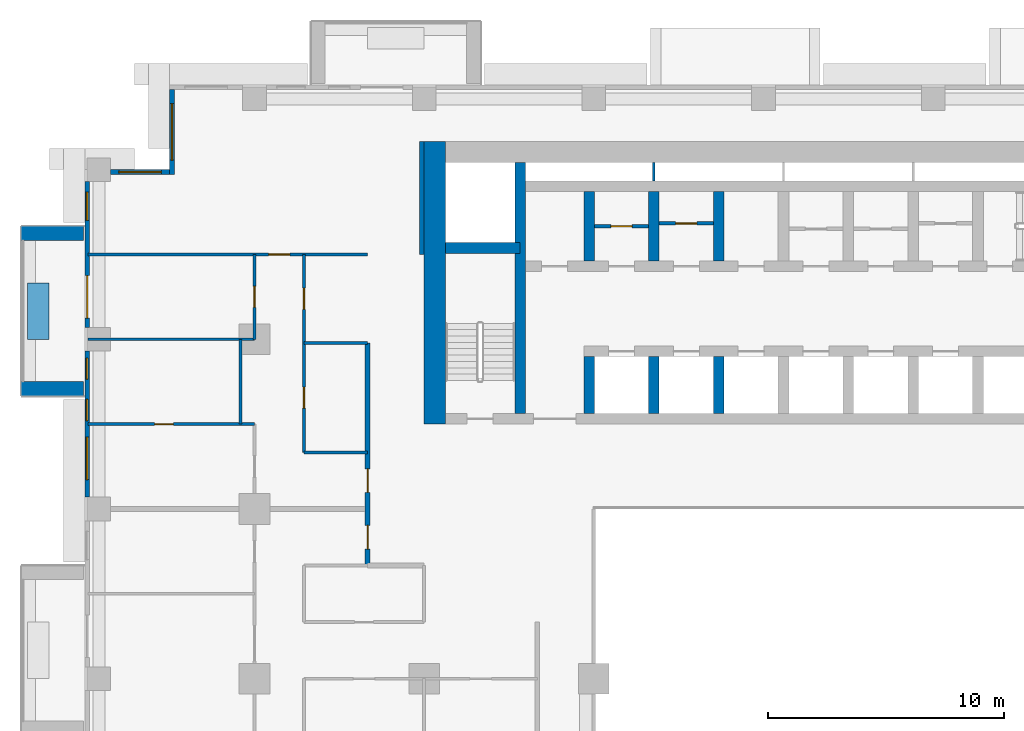
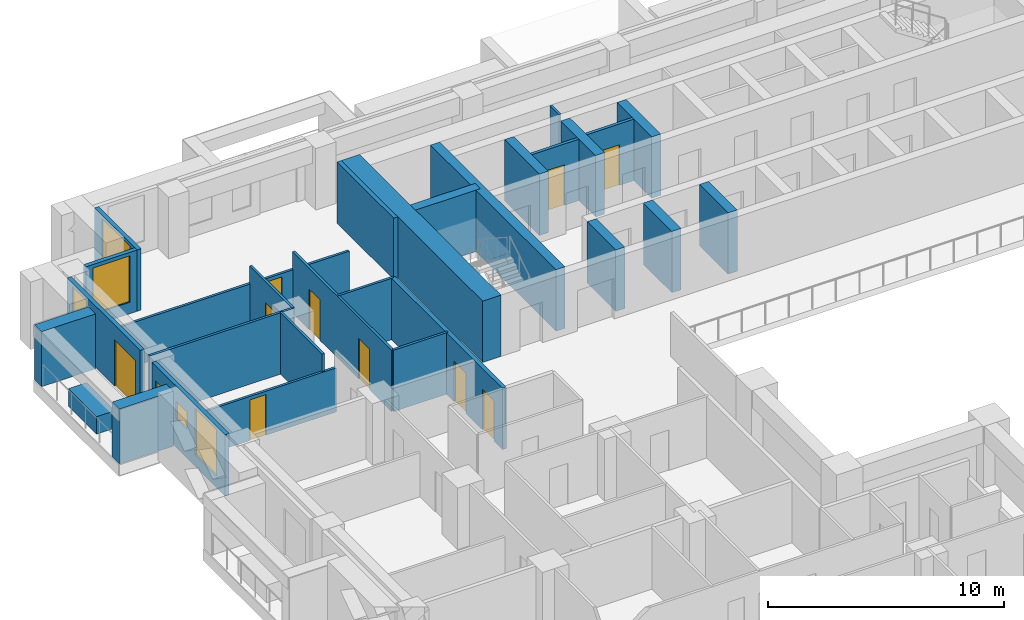
# One storey, part 9 of 17: 29 walls, 10 doors, 6 windows, 16 openings.
"""IFC4 building model written with IfcOpenShell, lengths in metres."""

from ifc_helpers import new_model, si_unit, direction, frame, frame_2d, origin, place, context, subcontext, project, spatial, rectangle, extrude, material, layer, layer_set, type_object, element, fill, save


model = new_model("IFC4")

# Units and contexts
model_context = context("Model", 3, precision=1e-05, world=origin(), true_north=direction((0.0, 1.0)))
body_context = subcontext(model_context, "Body", "Model", "MODEL_VIEW")
ifc_project = project(units=[si_unit("LENGTHUNIT", "METRE"), si_unit("AREAUNIT", "SQUARE_METRE"), si_unit("VOLUMEUNIT", "CUBIC_METRE"), si_unit("PLANEANGLEUNIT", "RADIAN"), si_unit("MASSUNIT", "GRAM", prefix="KILO")], contexts=[model_context])

# Site, building, storey
site_placement = place(None, origin())
site = spatial("IfcSite", under=ifc_project, at=site_placement, CompositionType="ELEMENT")
building_placement = place(site_placement, origin())
building = spatial("IfcBuilding", under=site, at=building_placement, Name="Saffron Iwan Residences", CompositionType="ELEMENT")
storey_placement = place(building_placement, frame((0.0, 0.0, 86.5)))
storey = spatial("IfcBuildingStorey", under=building, at=storey_placement, Name="L22", CompositionType="ELEMENT", Elevation=86.5)

# Walls
ifc_material_1 = material(Name="Concrete C50/60 white painted", Category="concrete")
ifc_layer_1 = layer(ifc_material_1, 0.60009765625)
ifc_layer_set_1 = layer_set([ifc_layer_1], Name="Concrete C50/60 white painted")
wall_type_1 = type_object("IfcWallType", Name="BALCONY FIN 600", PredefinedType="SOLIDWALL", material=ifc_layer_set_1)
for number, where, z_axis, x_axis, name in (
    (1, (14.35009765625, 74.10009765625, 0.0), (0.0, 0.0, 1.0), (-1.0, 0.0, 0.0), "Balcony fin L22 F8-0a"),
    (2, (14.35009765625, 67.5, 0.0), (0.0, 0.0, 1.0), (-1.0, 0.0, 0.0), "Balcony fin L22 F8-0b"),
):
    element("IfcWall", number, at=place(storey_placement, frame(where, z_axis=z_axis, x_axis=x_axis)), inside=storey, type_object=wall_type_1, Name=name, PredefinedType="SOLIDWALL", context=body_context, shape_type="SweptSolid", body=[
        extrude(rectangle(XDim=2.650146484375, YDim=0.60009765625, at=frame_2d((1.3251953125, 0.0))), origin(), (0.0, 0.0, 1.0), 2.85009765625),
    ])
ifc_material_2 = material(Name="Concrete C35/45 white painted", Category="concrete")
ifc_layer_2 = layer(ifc_material_2, 0.14990234375)
ifc_layer_set_2 = layer_set([ifc_layer_2], Name="Concrete C35/45 white painted")
wall_type_2 = type_object("IfcWallType", Name="BALCONY PLANTER", PredefinedType="SOLIDWALL", material=ifc_layer_set_2)
wall_1_placement = place(storey_placement, frame((12.425048828125, 72.0, 0.0), z_axis=(0.0, 0.0, 1.0), x_axis=(0.0, -1.0, 0.0)))
element("IfcWall", 3, at=wall_1_placement, inside=storey, type_object=wall_type_2, Name="PLANTER L22 F8-0", PredefinedType="SOLIDWALL", context=body_context, shape_type="SweptSolid", body=[
    extrude(rectangle(XDim=2.39990234375, YDim=0.89990234375, at=frame_2d((1.199951171875, 0.0))), origin(), (0.0, 0.0, 1.0), 0.89990234375),
])

# Wall, opening, door
ifc_material_3 = material(Name="Fire-rated plasterboard partition")
ifc_layer_3 = layer(ifc_material_3, 0.14990234375)
ifc_layer_set_3 = layer_set([ifc_layer_3], Name="Fire-rated plasterboard partition")
wall_type_3 = type_object("IfcWallType", Name="Core partition 150", PredefinedType="PARTITIONING", material=ifc_layer_set_3)
wall_2_placement = place(storey_placement, frame((36.02490234375, 74.39990234375, 0.0), z_axis=(0.0, 0.0, 1.0), x_axis=(1.0, 0.0, 0.0)))
wall_2 = element("IfcWall", 4, at=wall_2_placement, inside=storey, type_object=wall_type_3, Name="Core partition P01", PredefinedType="PARTITIONING", context=body_context, shape_type="SweptSolid", body=[
    extrude(rectangle(XDim=2.300048828125, YDim=0.14990234375, at=frame_2d((1.14990234375, 0.0))), origin(), (0.0, 0.0, 1.0), 3.179931640625),
])
opening_1_placement = place(wall_2_placement, frame((0.699951171875, 0.0, 0.0)))
opening_1 = element("IfcOpeningElement", 5, at=opening_1_placement, cuts=wall_2, Name="Opening SB", PredefinedType="OPENING", context=body_context, shape_type="SweptSolid", body=[
    extrude(rectangle(XDim=0.89990234375, YDim=2.10009765625, at=frame_2d((0.449951171875, 1.050048828125))), frame((0.0, 0.0849609375, 0.0), z_axis=(0.0, -1.0, 0.0), x_axis=(1.0, 0.0, 0.0)), (0.0, 0.0, 1.0), 0.169921875),
])
ifc_material_4 = material(Name="Steel fire door", Category="steel")
door_type_1 = type_object("IfcDoorType", Name="Store door 900", OperationType="NOTDEFINED", PredefinedType="DOOR", material=ifc_material_4)
door_1_placement = place(opening_1_placement, origin())
door_1 = element("IfcDoor", 6, at=door_1_placement, inside=storey, type_object=door_type_1, Name="Door Mop store", OperationType="SINGLE_SWING_LEFT", OverallHeight=2.10009765625, OverallWidth=0.89990234375, PredefinedType="DOOR", context=body_context, shape_type="SweptSolid", body=[
    extrude(rectangle(XDim=0.89990234375, YDim=2.10009765625, at=frame_2d((0.449951171875, 1.050048828125))), frame((0.0, 0.02490234375, 0.0), z_axis=(0.0, -1.0, 0.0), x_axis=(1.0, 0.0, 0.0)), (0.0, 0.0, 1.0), 0.050048828125),
])
fill(opening_1, door_1)

wall_3_placement = place(storey_placement, frame((38.77490234375, 74.51806640625, 0.0), z_axis=(0.0, 0.0, 1.0), x_axis=(1.0, 0.0, 0.0)))
wall_3 = element("IfcWall", 7, at=wall_3_placement, inside=storey, type_object=wall_type_3, Name="Core partition P02", PredefinedType="PARTITIONING", context=body_context, shape_type="SweptSolid", body=[
    extrude(rectangle(XDim=2.300048828125, YDim=0.14990234375, at=frame_2d((1.14990234375, 0.0))), origin(), (0.0, 0.0, 1.0), 3.179931640625),
])
opening_2_placement = place(wall_3_placement, frame((0.699951171875, 0.0, 0.0)))
opening_2 = element("IfcOpeningElement", 8, at=opening_2_placement, cuts=wall_3, Name="Opening SB", PredefinedType="OPENING", context=body_context, shape_type="SweptSolid", body=[
    extrude(rectangle(XDim=0.89990234375, YDim=2.10009765625, at=frame_2d((0.449951171875, 1.050048828125))), frame((0.0, 0.0849609375, 0.0), z_axis=(0.0, -1.0, 0.0), x_axis=(1.0, 0.0, 0.0)), (0.0, 0.0, 1.0), 0.169921875),
])
door_2_placement = place(opening_2_placement, origin())
door_2 = element("IfcDoor", 9, at=door_2_placement, inside=storey, type_object=door_type_1, Name="Door Spares store", OperationType="SINGLE_SWING_LEFT", OverallHeight=2.10009765625, OverallWidth=0.89990234375, PredefinedType="DOOR", context=body_context, shape_type="SweptSolid", body=[
    extrude(rectangle(XDim=0.89990234375, YDim=2.10009765625, at=frame_2d((0.449951171875, 1.050048828125))), frame((0.0, 0.02490234375, 0.0), z_axis=(0.0, -1.0, 0.0), x_axis=(1.0, 0.0, 0.0)), (0.0, 0.0, 1.0), 0.050048828125),
])
fill(opening_2, door_2)

# Wall, opening, window
ifc_material_5 = material(Name="Concrete C40/50", Category="concrete")
ifc_layer_4 = layer(ifc_material_5, 0.199951171875)
ifc_layer_set_4 = layer_set([ifc_layer_4], Name="Concrete C40/50")
wall_type_4 = type_object("IfcWallType", Name="EXTERNAL WALL 200", PredefinedType="SOLIDWALL", material=ifc_layer_set_4)
wall_4_placement = place(storey_placement, frame((18.10009765625, 80.199951171875, 0.0), z_axis=(0.0, 0.0, 1.0), x_axis=(0.0, -1.0, 0.0)))
wall_4 = element("IfcWall", 10, at=wall_4_placement, inside=storey, type_object=wall_type_4, Name="External wall L22 F6.0", PredefinedType="SOLIDWALL", context=body_context, shape_type="SweptSolid", body=[
    extrude(rectangle(XDim=3.599853515625, YDim=0.199951171875, at=frame_2d((1.7998046875, 0.0))), origin(), (0.0, 0.0, 1.0), 3.179931640625),
])
opening_3_placement = place(wall_4_placement, frame((0.60009765625, 0.0, 0.60009765625)))
opening_3 = element("IfcOpeningElement", 11, at=opening_3_placement, cuts=wall_4, Name="Opening W1", PredefinedType="OPENING", context=body_context, shape_type="SweptSolid", body=[
    extrude(rectangle(XDim=2.39990234375, YDim=2.39990234375, at=frame_2d((1.199951171875, 1.199951171875))), frame((0.0, 0.10986328125, 0.0), z_axis=(0.0, -1.0, 0.0), x_axis=(1.0, 0.0, 0.0)), (0.0, 0.0, 1.0), 0.219970703125),
])
ifc_material_6 = material(Name="Clear glass, laminated double glazed", Category="glass")
window_type_1 = type_object("IfcWindowType", Name="WINDOW 2400 x 2400", PartitioningType="DOUBLE_PANEL_VERTICAL", PredefinedType="WINDOW", material=ifc_material_6)
window_1_placement = place(opening_3_placement, origin())
window_1 = element("IfcWindow", 12, at=window_1_placement, inside=storey, type_object=window_type_1, Name="Window L22 F6.0", OverallHeight=2.39990234375, OverallWidth=2.39990234375, PartitioningType="DOUBLE_PANEL_VERTICAL", PredefinedType="WINDOW", context=body_context, shape_type="SweptSolid", body=[
    extrude(rectangle(XDim=2.39990234375, YDim=2.39990234375, at=frame_2d((1.199951171875, 1.199951171875))), frame((0.0, 0.030029296875, 0.0), z_axis=(0.0, -1.0, 0.0), x_axis=(1.0, 0.0, 0.0)), (0.0, 0.0, 1.0), 0.06005859375),
])
fill(opening_3, window_1)

wall_5_placement = place(storey_placement, frame((18.0, 76.699951171875, 0.0), z_axis=(0.0, 0.0, 1.0), x_axis=(-1.0, 0.0, 0.0)))
wall_5 = element("IfcWall", 13, at=wall_5_placement, inside=storey, type_object=wall_type_4, Name="External wall L22 F7.0", PredefinedType="SOLIDWALL", context=body_context, shape_type="SweptSolid", body=[
    extrude(rectangle(XDim=2.5, YDim=0.199951171875, at=frame_2d((1.25, 0.0))), origin(), (0.0, 0.0, 1.0), 3.179931640625),
])
opening_4_placement = place(wall_5_placement, frame((0.35009765625, 0.0, 0.60009765625)))
opening_4 = element("IfcOpeningElement", 14, at=opening_4_placement, cuts=wall_5, Name="Opening W8", PredefinedType="OPENING", context=body_context, shape_type="SweptSolid", body=[
    extrude(rectangle(XDim=1.800048828125, YDim=2.39990234375, at=frame_2d((0.89990234375, 1.199951171875))), frame((0.0, 0.10986328125, 0.0), z_axis=(0.0, -1.0, 0.0), x_axis=(1.0, 0.0, 0.0)), (0.0, 0.0, 1.0), 0.219970703125),
])
window_type_2 = type_object("IfcWindowType", Name="WINDOW 1800 x 2400", PartitioningType="DOUBLE_PANEL_VERTICAL", PredefinedType="WINDOW", material=ifc_material_6)
window_2_placement = place(opening_4_placement, origin())
window_2 = element("IfcWindow", 15, at=window_2_placement, inside=storey, type_object=window_type_2, Name="Window L22 F7.0", OverallHeight=2.39990234375, OverallWidth=1.800048828125, PartitioningType="DOUBLE_PANEL_VERTICAL", PredefinedType="WINDOW", context=body_context, shape_type="SweptSolid", body=[
    extrude(rectangle(XDim=1.800048828125, YDim=2.39990234375, at=frame_2d((0.89990234375, 1.199951171875))), frame((0.0, 0.030029296875, 0.0), z_axis=(0.0, -1.0, 0.0), x_axis=(1.0, 0.0, 0.0)), (0.0, 0.0, 1.0), 0.06005859375),
])
fill(opening_4, window_2)

# Wall, openings, door, window
wall_6_placement = place(storey_placement, frame((14.5, 76.300048828125, 0.0), z_axis=(0.0, 0.0, 1.0), x_axis=(0.0, -1.0, 0.0)))
wall_6 = element("IfcWall", 16, at=wall_6_placement, inside=storey, type_object=wall_type_4, Name="External wall L22 F8.0", PredefinedType="SOLIDWALL", context=body_context, shape_type="SweptSolid", body=[
    extrude(rectangle(XDim=6.199951171875, YDim=0.199951171875, at=frame_2d((3.10009765625, 0.0))), origin(), (0.0, 0.0, 1.0), 3.179931640625),
])
opening_5_placement = place(wall_6_placement, frame((4.0, 0.0, 0.0)))
opening_5 = element("IfcOpeningElement", 17, at=opening_5_placement, cuts=wall_6, Name="Opening BD1", PredefinedType="OPENING", context=body_context, shape_type="SweptSolid", body=[
    extrude(rectangle(XDim=1.800048828125, YDim=2.39990234375, at=frame_2d((0.89990234375, 1.199951171875))), frame((0.0, 0.10986328125, 0.0), z_axis=(0.0, -1.0, 0.0), x_axis=(1.0, 0.0, 0.0)), (0.0, 0.0, 1.0), 0.219970703125),
])
opening_6_placement = place(wall_6_placement, frame((0.449951171875, 0.0, 0.60009765625)))
opening_6 = element("IfcOpeningElement", 18, at=opening_6_placement, cuts=wall_6, Name="Opening W3", PredefinedType="OPENING", context=body_context, shape_type="SweptSolid", body=[
    extrude(rectangle(XDim=1.199951171875, YDim=2.39990234375, at=frame_2d((0.60009765625, 1.199951171875))), frame((0.0, 0.10986328125, 0.0), z_axis=(0.0, -1.0, 0.0), x_axis=(1.0, 0.0, 0.0)), (0.0, 0.0, 1.0), 0.219970703125),
])
door_type_2 = type_object("IfcDoorType", Name="BALCONY DOOR 1800 x 2400", OperationType="DOUBLE_DOOR_SLIDING", PredefinedType="DOOR", material=ifc_material_6)
door_3_placement = place(opening_5_placement, origin())
door_3 = element("IfcDoor", 19, at=door_3_placement, inside=storey, type_object=door_type_2, Name="Balcony door L22 F8.0", OperationType="DOUBLE_DOOR_SLIDING", OverallHeight=2.39990234375, OverallWidth=1.800048828125, PredefinedType="DOOR", context=body_context, shape_type="SweptSolid", body=[
    extrude(rectangle(XDim=1.800048828125, YDim=2.39990234375, at=frame_2d((0.89990234375, 1.199951171875))), frame((0.0, 0.02490234375, 0.0), z_axis=(0.0, -1.0, 0.0), x_axis=(1.0, 0.0, 0.0)), (0.0, 0.0, 1.0), 0.050048828125),
])
fill(opening_5, door_3)
window_type_3 = type_object("IfcWindowType", Name="WINDOW 1200 x 2400", PartitioningType="SINGLE_PANEL", PredefinedType="WINDOW", material=ifc_material_6)
window_3_placement = place(opening_6_placement, origin())
window_3 = element("IfcWindow", 20, at=window_3_placement, inside=storey, type_object=window_type_3, Name="Window L22 F8.1", OverallHeight=2.39990234375, OverallWidth=1.199951171875, PartitioningType="SINGLE_PANEL", PredefinedType="WINDOW", context=body_context, shape_type="SweptSolid", body=[
    extrude(rectangle(XDim=1.199951171875, YDim=2.39990234375, at=frame_2d((0.60009765625, 1.199951171875))), frame((0.0, 0.030029296875, 0.0), z_axis=(0.0, -1.0, 0.0), x_axis=(1.0, 0.0, 0.0)), (0.0, 0.0, 1.0), 0.06005859375),
])
fill(opening_6, window_3)

# Wall, openings, windows
wall_7_placement = place(storey_placement, frame((14.5, 69.10009765625, 0.0), z_axis=(0.0, 0.0, 1.0), x_axis=(0.0, -1.0, 0.0)))
wall_7 = element("IfcWall", 21, at=wall_7_placement, inside=storey, type_object=wall_type_4, Name="External wall L22 F8.1", PredefinedType="SOLIDWALL", context=body_context, shape_type="SweptSolid", body=[
    extrude(rectangle(XDim=6.2001953125, YDim=0.199951171875, at=frame_2d((3.10009765625, 0.0))), origin(), (0.0, 0.0, 1.0), 3.179931640625),
])
opening_7_placement = place(wall_7_placement, frame((3.64990234375, 0.0, 0.60009765625)))
opening_7 = element("IfcOpeningElement", 22, at=opening_7_placement, cuts=wall_7, Name="Opening W8", PredefinedType="OPENING", context=body_context, shape_type="SweptSolid", body=[
    extrude(rectangle(XDim=1.800048828125, YDim=2.39990234375, at=frame_2d((0.89990234375, 1.199951171875))), frame((0.0, 0.10986328125, 0.0), z_axis=(0.0, -1.0, 0.0), x_axis=(1.0, 0.0, 0.0)), (0.0, 0.0, 1.0), 0.219970703125),
])
opening_8_placement = place(wall_7_placement, frame((0.300048828125, 0.0, 1.5)))
opening_8 = element("IfcOpeningElement", 23, at=opening_8_placement, cuts=wall_7, Name="Opening W6", PredefinedType="OPENING", context=body_context, shape_type="SweptSolid", body=[
    extrude(rectangle(XDim=0.89990234375, YDim=0.89990234375, at=frame_2d((0.449951171875, 0.449951171875))), frame((0.0, 0.10986328125, 0.0), z_axis=(0.0, -1.0, 0.0), x_axis=(1.0, 0.0, 0.0)), (0.0, 0.0, 1.0), 0.219970703125),
])
opening_9_placement = place(wall_7_placement, frame((2.050048828125, 0.0, 1.5)))
opening_9 = element("IfcOpeningElement", 24, at=opening_9_placement, cuts=wall_7, Name="Opening W6", PredefinedType="OPENING", context=body_context, shape_type="SweptSolid", body=[
    extrude(rectangle(XDim=0.89990234375, YDim=0.89990234375, at=frame_2d((0.449951171875, 0.449951171875))), frame((0.0, 0.10986328125, 0.0), z_axis=(0.0, -1.0, 0.0), x_axis=(1.0, 0.0, 0.0)), (0.0, 0.0, 1.0), 0.219970703125),
])
window_4_placement = place(opening_7_placement, origin())
window_4 = element("IfcWindow", 25, at=window_4_placement, inside=storey, type_object=window_type_2, Name="Window L22 F8.0", OverallHeight=2.39990234375, OverallWidth=1.800048828125, PartitioningType="DOUBLE_PANEL_VERTICAL", PredefinedType="WINDOW", context=body_context, shape_type="SweptSolid", body=[
    extrude(rectangle(XDim=1.800048828125, YDim=2.39990234375, at=frame_2d((0.89990234375, 1.199951171875))), frame((0.0, 0.030029296875, 0.0), z_axis=(0.0, -1.0, 0.0), x_axis=(1.0, 0.0, 0.0)), (0.0, 0.0, 1.0), 0.06005859375),
])
fill(opening_7, window_4)
window_type_4 = type_object("IfcWindowType", Name="WINDOW 900 x 900 BATH", PartitioningType="SINGLE_PANEL", PredefinedType="WINDOW", material=ifc_material_6)
window_5_placement = place(opening_8_placement, origin())
window_5 = element("IfcWindow", 26, at=window_5_placement, inside=storey, type_object=window_type_4, Name="Window L22 F8.1", OverallHeight=0.89990234375, OverallWidth=0.89990234375, PartitioningType="SINGLE_PANEL", PredefinedType="WINDOW", context=body_context, shape_type="SweptSolid", body=[
    extrude(rectangle(XDim=0.89990234375, YDim=0.89990234375, at=frame_2d((0.449951171875, 0.449951171875))), frame((0.0, 0.030029296875, 0.0), z_axis=(0.0, -1.0, 0.0), x_axis=(1.0, 0.0, 0.0)), (0.0, 0.0, 1.0), 0.06005859375),
])
fill(opening_8, window_5)
window_6_placement = place(opening_9_placement, origin())
window_6 = element("IfcWindow", 27, at=window_6_placement, inside=storey, type_object=window_type_4, Name="Window L22 F8.2", OverallHeight=0.89990234375, OverallWidth=0.89990234375, PartitioningType="SINGLE_PANEL", PredefinedType="WINDOW", context=body_context, shape_type="SweptSolid", body=[
    extrude(rectangle(XDim=0.89990234375, YDim=0.89990234375, at=frame_2d((0.449951171875, 0.449951171875))), frame((0.0, 0.030029296875, 0.0), z_axis=(0.0, -1.0, 0.0), x_axis=(1.0, 0.0, 0.0)), (0.0, 0.0, 1.0), 0.06005859375),
])
fill(opening_9, window_6)

# Wall
ifc_material_7 = material(Name="Gypsum board partition")
ifc_layer_5 = layer(ifc_material_7, 0.1201171875)
ifc_layer_set_5 = layer_set([ifc_layer_5], Name="Gypsum board partition")
wall_type_5 = type_object("IfcWallType", Name="Flat partition 120", PredefinedType="PARTITIONING", material=ifc_layer_set_5)
wall_8_placement = place(storey_placement, frame((23.699951171875, 64.800048828125, 0.0), z_axis=(0.0, 0.0, 1.0), x_axis=(1.0, 0.0, 0.0)))
element("IfcWall", 28, at=wall_8_placement, inside=storey, type_object=wall_type_5, Name="W-L22-PART-h64.8-23.7", PredefinedType="PARTITIONING", context=body_context, shape_type="SweptSolid", body=[
    extrude(rectangle(XDim=2.699951171875, YDim=0.1201171875, at=frame_2d((1.35009765625, 0.0))), origin(), (0.0, 0.0, 1.0), 3.179931640625),
])

# Wall, opening, door
wall_9_placement = place(storey_placement, frame((14.52490234375, 66.0, 0.0), z_axis=(0.0, 0.0, 1.0), x_axis=(1.0, 0.0, 0.0)))
wall_9 = element("IfcWall", 29, at=wall_9_placement, inside=storey, type_object=wall_type_5, Name="W-L22-PART-h66-14.525", PredefinedType="PARTITIONING", context=body_context, shape_type="SweptSolid", body=[
    extrude(rectangle(XDim=7.0751953125, YDim=0.1201171875, at=frame_2d((3.53759765625, 0.0))), origin(), (0.0, 0.0, 1.0), 2.280029296875),
])
opening_10_placement = place(wall_9_placement, frame((2.83740234375, 0.0, 0.0)))
opening_10 = element("IfcOpeningElement", 30, at=opening_10_placement, cuts=wall_9, Name="Opening FD3", PredefinedType="OPENING", context=body_context, shape_type="SweptSolid", body=[
    extrude(rectangle(XDim=0.800048828125, YDim=2.10009765625, at=frame_2d((0.39990234375, 1.050048828125))), frame((0.0, 0.070068359375, 0.0), z_axis=(0.0, -1.0, 0.0), x_axis=(1.0, 0.0, 0.0)), (0.0, 0.0, 1.0), 0.14013671875),
])
ifc_material_8 = material(Name="Timber door", Category="wood")
door_type_3 = type_object("IfcDoorType", Name="Bathroom door 800", OperationType="NOTDEFINED", PredefinedType="DOOR", material=ifc_material_8)
door_4_placement = place(opening_10_placement, origin())
door_4 = element("IfcDoor", 31, at=door_4_placement, inside=storey, type_object=door_type_3, Name="Door L22-029", OperationType="SINGLE_SWING_LEFT", OverallHeight=2.10009765625, OverallWidth=0.800048828125, PredefinedType="DOOR", context=body_context, shape_type="SweptSolid", body=[
    extrude(rectangle(XDim=0.800048828125, YDim=2.10009765625, at=frame_2d((0.39990234375, 1.050048828125))), frame((0.0, 0.02490234375, 0.0), z_axis=(0.0, -1.0, 0.0), x_axis=(1.0, 0.0, 0.0)), (0.0, 0.0, 1.0), 0.050048828125),
])
fill(opening_10, door_4)

# Walls
wall_10_placement = place(storey_placement, frame((23.699951171875, 69.449951171875, 0.0), z_axis=(0.0, 0.0, 1.0), x_axis=(1.0, 0.0, 0.0)))
element("IfcWall", 32, at=wall_10_placement, inside=storey, type_object=wall_type_5, Name="W-L22-PART-h69.45-23.7", PredefinedType="PARTITIONING", context=body_context, shape_type="SweptSolid", body=[
    extrude(rectangle(XDim=2.699951171875, YDim=0.1201171875, at=frame_2d((1.35009765625, 0.0))), origin(), (0.0, 0.0, 1.0), 3.179931640625),
])
wall_11_placement = place(storey_placement, frame((14.52490234375, 69.60009765625, 0.0), z_axis=(0.0, 0.0, 1.0), x_axis=(1.0, 0.0, 0.0)))
element("IfcWall", 33, at=wall_11_placement, inside=storey, type_object=wall_type_5, Name="W-L22-PART-h69.6-14.525", PredefinedType="PARTITIONING", context=body_context, shape_type="SweptSolid", body=[
    extrude(rectangle(XDim=7.0751953125, YDim=0.1201171875, at=frame_2d((3.53759765625, 0.0))), origin(), (0.0, 0.0, 1.0), 3.179931640625),
])

# Wall, opening, door
wall_12_placement = place(storey_placement, frame((14.52490234375, 73.199951171875, 0.0), z_axis=(0.0, 0.0, 1.0), x_axis=(1.0, 0.0, 0.0)))
wall_12 = element("IfcWall", 34, at=wall_12_placement, inside=storey, type_object=wall_type_5, Name="W-L22-PART-h73.2-14.525", PredefinedType="PARTITIONING", context=body_context, shape_type="SweptSolid", body=[
    extrude(rectangle(XDim=11.875, YDim=0.1201171875, at=frame_2d((5.9375, 0.0))), origin(), (0.0, 0.0, 1.0), 2.280029296875),
])
opening_11_placement = place(wall_12_placement, frame((7.675048828125, 0.0, 0.0)))
opening_11 = element("IfcOpeningElement", 35, at=opening_11_placement, cuts=wall_12, Name="Opening FD2", PredefinedType="OPENING", context=body_context, shape_type="SweptSolid", body=[
    extrude(rectangle(XDim=0.89990234375, YDim=2.10009765625, at=frame_2d((0.449951171875, 1.050048828125))), frame((0.0, 0.070068359375, 0.0), z_axis=(0.0, -1.0, 0.0), x_axis=(1.0, 0.0, 0.0)), (0.0, 0.0, 1.0), 0.14013671875),
])
door_type_4 = type_object("IfcDoorType", Name="Flat door 900", OperationType="NOTDEFINED", PredefinedType="DOOR", material=ifc_material_8)
door_5_placement = place(opening_11_placement, origin())
door_5 = element("IfcDoor", 36, at=door_5_placement, inside=storey, type_object=door_type_4, Name="Door L22-031", OperationType="SINGLE_SWING_LEFT", OverallHeight=2.10009765625, OverallWidth=0.89990234375, PredefinedType="DOOR", context=body_context, shape_type="SweptSolid", body=[
    extrude(rectangle(XDim=0.89990234375, YDim=2.10009765625, at=frame_2d((0.449951171875, 1.050048828125))), frame((0.0, 0.02490234375, 0.0), z_axis=(0.0, -1.0, 0.0), x_axis=(1.0, 0.0, 0.0)), (0.0, 0.0, 1.0), 0.050048828125),
])
fill(opening_11, door_5)

# Wall
wall_13_placement = place(storey_placement, frame((21.0, 66.0, 0.0), z_axis=(0.0, 0.0, 1.0), x_axis=(0.0, 1.0, 0.0)))
element("IfcWall", 37, at=wall_13_placement, inside=storey, type_object=wall_type_5, Name="W-L22-PART-v21-66", PredefinedType="PARTITIONING", context=body_context, shape_type="SweptSolid", body=[
    extrude(rectangle(XDim=3.60009765625, YDim=0.1201171875, at=frame_2d((1.800048828125, 0.0))), origin(), (0.0, 0.0, 1.0), 3.179931640625),
])

# Wall, opening, door
wall_14_placement = place(storey_placement, frame((21.60009765625, 69.60009765625, 0.0), z_axis=(0.0, 0.0, 1.0), x_axis=(0.0, 1.0, 0.0)))
wall_14 = element("IfcWall", 38, at=wall_14_placement, inside=storey, type_object=wall_type_5, Name="W-L22-PART-v21.6-69.6", PredefinedType="PARTITIONING", context=body_context, shape_type="SweptSolid", body=[
    extrude(rectangle(XDim=3.599853515625, YDim=0.1201171875, at=frame_2d((1.7998046875, 0.0))), origin(), (0.0, 0.0, 1.0), 3.179931640625),
])
opening_12_placement = place(wall_14_placement, frame((1.35009765625, 0.0, 0.0)))
opening_12 = element("IfcOpeningElement", 39, at=opening_12_placement, cuts=wall_14, Name="Opening FD2", PredefinedType="OPENING", context=body_context, shape_type="SweptSolid", body=[
    extrude(rectangle(XDim=0.89990234375, YDim=2.10009765625, at=frame_2d((0.449951171875, 1.050048828125))), frame((0.0, 0.070068359375, 0.0), z_axis=(0.0, -1.0, 0.0), x_axis=(1.0, 0.0, 0.0)), (0.0, 0.0, 1.0), 0.14013671875),
])
door_6_placement = place(opening_12_placement, origin())
door_6 = element("IfcDoor", 40, at=door_6_placement, inside=storey, type_object=door_type_4, Name="Door L22-030", OperationType="SINGLE_SWING_RIGHT", OverallHeight=2.10009765625, OverallWidth=0.89990234375, PredefinedType="DOOR", context=body_context, shape_type="SweptSolid", body=[
    extrude(rectangle(XDim=0.89990234375, YDim=2.10009765625, at=frame_2d((0.449951171875, 1.050048828125))), frame((0.0, 0.02490234375, 0.0), z_axis=(0.0, -1.0, 0.0), x_axis=(1.0, 0.0, 0.0)), (0.0, 0.0, 1.0), 0.050048828125),
])
fill(opening_12, door_6)

# Wall, openings, doors
wall_15_placement = place(storey_placement, frame((23.699951171875, 64.800048828125, 0.0), z_axis=(0.0, 0.0, 1.0), x_axis=(0.0, 1.0, 0.0)))
wall_15 = element("IfcWall", 41, at=wall_15_placement, inside=storey, type_object=wall_type_5, Name="W-L22-PART-v23.7-64.8", PredefinedType="PARTITIONING", context=body_context, shape_type="SweptSolid", body=[
    extrude(rectangle(XDim=8.39990234375, YDim=0.1201171875, at=frame_2d((4.199951171875, 0.0))), origin(), (0.0, 0.0, 1.0), 3.179931640625),
])
opening_13_placement = place(wall_15_placement, frame((1.875, 0.0, 0.0)))
opening_13 = element("IfcOpeningElement", 42, at=opening_13_placement, cuts=wall_15, Name="Opening FD2", PredefinedType="OPENING", context=body_context, shape_type="SweptSolid", body=[
    extrude(rectangle(XDim=0.89990234375, YDim=2.10009765625, at=frame_2d((0.449951171875, 1.050048828125))), frame((0.0, 0.070068359375, 0.0), z_axis=(0.0, -1.0, 0.0), x_axis=(1.0, 0.0, 0.0)), (0.0, 0.0, 1.0), 0.14013671875),
])
opening_14_placement = place(wall_15_placement, frame((6.074951171875, 0.0, 0.0)))
opening_14 = element("IfcOpeningElement", 43, at=opening_14_placement, cuts=wall_15, Name="Opening FD2", PredefinedType="OPENING", context=body_context, shape_type="SweptSolid", body=[
    extrude(rectangle(XDim=0.89990234375, YDim=2.10009765625, at=frame_2d((0.449951171875, 1.050048828125))), frame((0.0, 0.070068359375, 0.0), z_axis=(0.0, -1.0, 0.0), x_axis=(1.0, 0.0, 0.0)), (0.0, 0.0, 1.0), 0.14013671875),
])
door_7_placement = place(opening_13_placement, origin())
door_7 = element("IfcDoor", 44, at=door_7_placement, inside=storey, type_object=door_type_4, Name="Door L22-032", OperationType="SINGLE_SWING_LEFT", OverallHeight=2.10009765625, OverallWidth=0.89990234375, PredefinedType="DOOR", context=body_context, shape_type="SweptSolid", body=[
    extrude(rectangle(XDim=0.89990234375, YDim=2.10009765625, at=frame_2d((0.449951171875, 1.050048828125))), frame((0.0, 0.02490234375, 0.0), z_axis=(0.0, -1.0, 0.0), x_axis=(1.0, 0.0, 0.0)), (0.0, 0.0, 1.0), 0.050048828125),
])
fill(opening_13, door_7)
door_8_placement = place(opening_14_placement, origin())
door_8 = element("IfcDoor", 45, at=door_8_placement, inside=storey, type_object=door_type_4, Name="Door L22-033", OperationType="SINGLE_SWING_RIGHT", OverallHeight=2.10009765625, OverallWidth=0.89990234375, PredefinedType="DOOR", context=body_context, shape_type="SweptSolid", body=[
    extrude(rectangle(XDim=0.89990234375, YDim=2.10009765625, at=frame_2d((0.449951171875, 1.050048828125))), frame((0.0, 0.02490234375, 0.0), z_axis=(0.0, -1.0, 0.0), x_axis=(1.0, 0.0, 0.0)), (0.0, 0.0, 1.0), 0.050048828125),
])
fill(opening_14, door_8)

ifc_material_9 = material(Name="Fire-rated gypsum board wall")
ifc_layer_6 = layer(ifc_material_9, 0.199951171875)
ifc_layer_set_6 = layer_set([ifc_layer_6], Name="Fire-rated gypsum board wall")
wall_type_6 = type_object("IfcWallType", Name="Gallery wall 200", PredefinedType="SOLIDWALL", material=ifc_layer_set_6)
wall_16_placement = place(storey_placement, frame((26.39990234375, 60.0, 0.0), z_axis=(0.0, 0.0, 1.0), x_axis=(0.0, 1.0, 0.0)))
wall_16 = element("IfcWall", 46, at=wall_16_placement, inside=storey, type_object=wall_type_6, Name="W-L22-CORR-v26.4-60", PredefinedType="SOLIDWALL", context=body_context, shape_type="SweptSolid", body=[
    extrude(rectangle(XDim=9.449951171875, YDim=0.199951171875, at=frame_2d((4.72509765625, 0.0))), origin(), (0.0, 0.0, 1.0), 3.179931640625),
])
opening_15_placement = place(wall_16_placement, frame((0.699951171875, 0.0, 0.0)))
opening_15 = element("IfcOpeningElement", 47, at=opening_15_placement, cuts=wall_16, Name="Opening FD1", PredefinedType="OPENING", context=body_context, shape_type="SweptSolid", body=[
    extrude(rectangle(XDim=1.0, YDim=2.10009765625, at=frame_2d((0.5, 1.050048828125))), frame((0.0, 0.10986328125, 0.0), z_axis=(0.0, -1.0, 0.0), x_axis=(1.0, 0.0, 0.0)), (0.0, 0.0, 1.0), 0.219970703125),
])
opening_16_placement = place(wall_16_placement, frame((3.10009765625, 0.0, 0.0)))
opening_16 = element("IfcOpeningElement", 48, at=opening_16_placement, cuts=wall_16, Name="Opening FD1", PredefinedType="OPENING", context=body_context, shape_type="SweptSolid", body=[
    extrude(rectangle(XDim=1.0, YDim=2.10009765625, at=frame_2d((0.5, 1.050048828125))), frame((0.0, 0.10986328125, 0.0), z_axis=(0.0, -1.0, 0.0), x_axis=(1.0, 0.0, 0.0)), (0.0, 0.0, 1.0), 0.219970703125),
])
ifc_material_10 = material(Name="Fire-rated timber door", Category="wood")
door_type_5 = type_object("IfcDoorType", Name="FD30S flat entrance door 1000", OperationType="NOTDEFINED", PredefinedType="DOOR", material=ifc_material_10)
door_9_placement = place(opening_15_placement, origin())
door_9 = element("IfcDoor", 49, at=door_9_placement, inside=storey, type_object=door_type_5, Name="Door L22-013", OperationType="SINGLE_SWING_LEFT", OverallHeight=2.10009765625, OverallWidth=1.0, PredefinedType="DOOR", context=body_context, shape_type="SweptSolid", body=[
    extrude(rectangle(XDim=1.0, YDim=2.10009765625, at=frame_2d((0.5, 1.050048828125))), frame((0.0, 0.02490234375, 0.0), z_axis=(0.0, -1.0, 0.0), x_axis=(1.0, 0.0, 0.0)), (0.0, 0.0, 1.0), 0.050048828125),
])
fill(opening_15, door_9)
door_10_placement = place(opening_16_placement, origin())
door_10 = element("IfcDoor", 50, at=door_10_placement, inside=storey, type_object=door_type_5, Name="Door L22-027", OperationType="SINGLE_SWING_RIGHT", OverallHeight=2.10009765625, OverallWidth=1.0, PredefinedType="DOOR", context=body_context, shape_type="SweptSolid", body=[
    extrude(rectangle(XDim=1.0, YDim=2.10009765625, at=frame_2d((0.5, 1.050048828125))), frame((0.0, 0.02490234375, 0.0), z_axis=(0.0, -1.0, 0.0), x_axis=(1.0, 0.0, 0.0)), (0.0, 0.0, 1.0), 0.050048828125),
])
fill(opening_16, door_10)

# Walls
wall_17_placement = place(storey_placement, frame((28.699951171875, 73.199951171875, 0.0), z_axis=(0.0, 0.0, 1.0), x_axis=(0.0, 1.0, 0.0)))
element("IfcWall", 51, at=wall_17_placement, inside=storey, type_object=wall_type_6, Name="W-L22-CORR-v28.8-73.2", PredefinedType="SOLIDWALL", context=body_context, shape_type="SweptSolid", body=[
    extrude(rectangle(XDim=4.800048828125, YDim=0.199951171875, at=frame_2d((2.39990234375, 0.0))), origin(), (0.0, 0.0, 1.0), 3.179931640625),
])
ifc_layer_7 = layer(ifc_material_3, 0.10009765625)
ifc_layer_set_7 = layer_set([ifc_layer_7], Name="Fire-rated plasterboard partition")
wall_type_7 = type_object("IfcWallType", Name="Riser partition 100", PredefinedType="PARTITIONING", material=ifc_layer_set_7)
wall_18_placement = place(storey_placement, frame((38.550048828125, 76.324951171875, 0.0), z_axis=(0.0, 0.0, 1.0), x_axis=(0.0, 1.0, 0.0)))
element("IfcWall", 52, at=wall_18_placement, inside=storey, type_object=wall_type_7, Name="Core partition P06", PredefinedType="PARTITIONING", context=body_context, shape_type="SweptSolid", body=[
    extrude(rectangle(XDim=0.775146484375, YDim=0.10009765625, at=frame_2d((0.3876953125, 0.0))), origin(), (0.0, 0.0, 1.0), 3.179931640625),
])
ifc_material_11 = material(Name="Concrete C60/75", Category="concrete")
ifc_layer_8 = layer(ifc_material_11, 0.449951171875)
ifc_layer_set_8 = layer_set([ifc_layer_8], Name="Concrete C60/75")
wall_type_8 = type_object("IfcWallType", Name="WALL CORE 450 C60/75 3180 HIGH", PredefinedType="SHEAR", material=ifc_layer_set_8)
wall_19_placement = place(storey_placement, frame((29.699951171875, 73.47509765625, 0.0), z_axis=(0.0, 0.0, 1.0), x_axis=(1.0, 0.0, 0.0)))
element("IfcWall", 53, at=wall_19_placement, inside=storey, type_object=wall_type_8, Name="Core wall", PredefinedType="SHEAR", context=body_context, shape_type="SweptSolid", body=[
    extrude(rectangle(XDim=3.175048828125, YDim=0.449951171875, at=frame_2d((1.58740234375, 0.0))), origin(), (0.0, 0.0, 1.0), 3.179931640625),
])
wall_20_placement = place(storey_placement, frame((32.875, 66.449951171875, 0.0), z_axis=(0.0, 0.0, 1.0), x_axis=(0.0, 1.0, 0.0)))
element("IfcWall", 54, at=wall_20_placement, inside=storey, type_object=wall_type_8, Name="Core wall", PredefinedType="SHEAR", context=body_context, shape_type="SweptSolid", body=[
    extrude(rectangle(XDim=10.650146484375, YDim=0.449951171875, at=frame_2d((5.3251953125, 0.0))), origin(), (0.0, 0.0, 1.0), 3.179931640625),
])
for number, where, z_axis, x_axis, name in (
    (55, (35.800048828125, 66.449951171875, 0.0), (0.0, 0.0, 1.0), (0.0, 1.0, 0.0), "Core wall"),
    (56, (38.550048828125, 66.449951171875, 0.0), (0.0, 0.0, 1.0), (0.0, 1.0, 0.0), "Core wall"),
    (57, (41.300048828125, 66.449951171875, 0.0), (0.0, 0.0, 1.0), (0.0, 1.0, 0.0), "Core wall"),
):
    element("IfcWall", number, at=place(storey_placement, frame(where, z_axis=z_axis, x_axis=x_axis)), inside=storey, type_object=wall_type_8, Name=name, PredefinedType="SHEAR", context=body_context, shape_type="SweptSolid", body=[
        extrude(rectangle(XDim=2.425048828125, YDim=0.449951171875, at=frame_2d((1.21240234375, 0.0))), origin(), (0.0, 0.0, 1.0), 3.179931640625),
    ])
for number, where, z_axis, x_axis, name in (
    (58, (35.800048828125, 72.925048828125, 0.0), (0.0, 0.0, 1.0), (0.0, 1.0, 0.0), "Core wall"),
    (59, (38.550048828125, 72.925048828125, 0.0), (0.0, 0.0, 1.0), (0.0, 1.0, 0.0), "Core wall"),
    (60, (41.300048828125, 72.925048828125, 0.0), (0.0, 0.0, 1.0), (0.0, 1.0, 0.0), "Core wall"),
):
    element("IfcWall", number, at=place(storey_placement, frame(where, z_axis=z_axis, x_axis=x_axis)), inside=storey, type_object=wall_type_8, Name=name, PredefinedType="SHEAR", context=body_context, shape_type="SweptSolid", body=[
        extrude(rectangle(XDim=2.949951171875, YDim=0.449951171875, at=frame_2d((1.47509765625, 0.0))), origin(), (0.0, 0.0, 1.0), 3.179931640625),
    ])
ifc_layer_9 = layer(ifc_material_11, 0.89990234375)
ifc_layer_set_9 = layer_set([ifc_layer_9], Name="Concrete C60/75")
wall_type_9 = type_object("IfcWallType", Name="WALL CORE 900 C60/75 3180 HIGH", PredefinedType="SHEAR", material=ifc_layer_set_9)
wall_21_placement = place(storey_placement, frame((29.25, 66.0, 0.0), z_axis=(0.0, 0.0, 1.0), x_axis=(0.0, 1.0, 0.0)))
element("IfcWall", 61, at=wall_21_placement, inside=storey, type_object=wall_type_9, Name="Core wall", PredefinedType="SHEAR", context=body_context, shape_type="SweptSolid", body=[
    extrude(rectangle(XDim=12.0, YDim=0.89990234375, at=frame_2d((6.0, 0.0))), origin(), (0.0, 0.0, 1.0), 3.179931640625),
])

save(model, "model.ifc")
